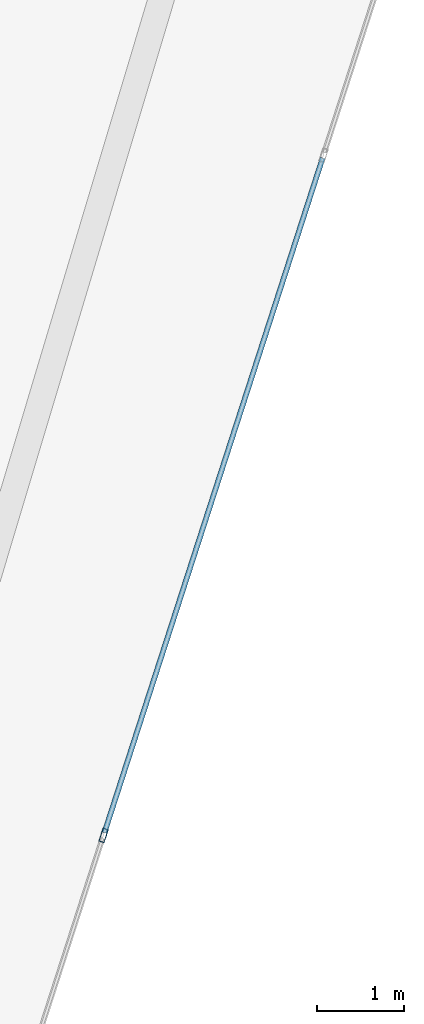
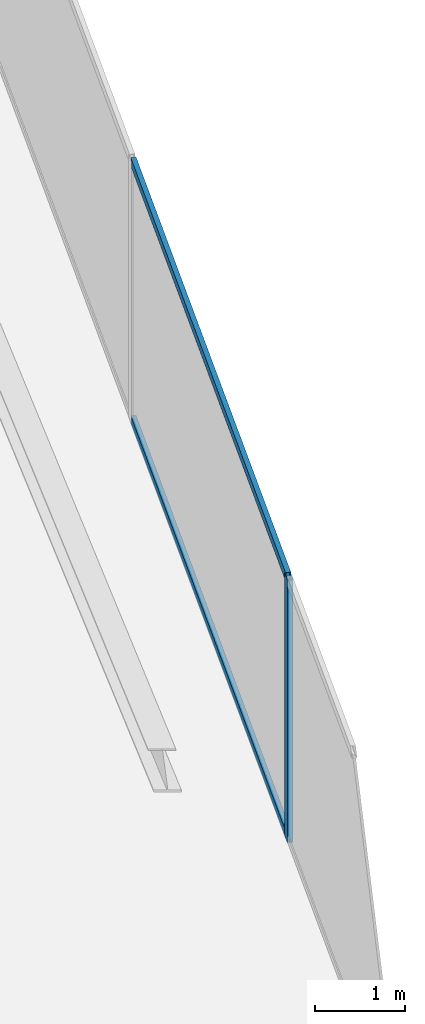
# One storey, part 9 of 14: 3 members, 1 element without a shape of its own.
"""IFC4 building model written with IfcOpenShell, lengths in metres."""

from ifc_helpers import new_model, si_unit, direction, frame, origin, origin_2d, place, context, subcontext, project, spatial, hollow_rectangle, extrude, material, layer, layer_set, material_profile, profile_set, type_object, element, aggregate, save


model = new_model("IFC4")

# Units and contexts
model_context = context("Model", 3, precision=1e-05, world=origin(), true_north=direction((0.0, 1.0)))
body_context = subcontext(model_context, "Body", "Model", "MODEL_VIEW")
ifc_project = project(units=[si_unit("LENGTHUNIT", "METRE"), si_unit("AREAUNIT", "SQUARE_METRE"), si_unit("VOLUMEUNIT", "CUBIC_METRE"), si_unit("PLANEANGLEUNIT", "RADIAN"), si_unit("MASSUNIT", "GRAM", prefix="KILO")], contexts=[model_context])

# Site, building, storey
site_placement = place(None, origin())
site = spatial("IfcSite", under=ifc_project, at=site_placement, CompositionType="ELEMENT")
building_placement = place(site_placement, origin())
building = spatial("IfcBuilding", under=site, at=building_placement, Name="Qianvela Tower", CompositionType="ELEMENT")
storey_placement = place(building_placement, frame((0.0, 0.0, 363.800048828125)))
storey = spatial("IfcBuildingStorey", under=building, at=storey_placement, Name="L94", CompositionType="ELEMENT", Elevation=363.800048828125)

# Curtain wall, members
ifc_material_1 = material(Name="Anodised Architectural Aluminium and Low-E Glass", Category="aluminium")
ifc_layer = layer(ifc_material_1, 0.159912109375)
ifc_layer_set = layer_set([ifc_layer], Name="Anodised Architectural Aluminium and Low-E Glass")
curtain_wall_type = type_object("IfcCurtainWallType", Name="CW-CROWN", PredefinedType="USERDEFINED", material=ifc_layer_set)
curtain_wall_placement = place(storey_placement, origin())
curtain_wall = element("IfcCurtainWall", 1, at=curtain_wall_placement, inside=storey, type_object=curtain_wall_type, Name="L94 CW-CROWN Curtain Wall 06", ObjectType="CURTAIN_WALL_SYSTEM", PredefinedType="USERDEFINED")
ifc_material_2 = material(Name="Anodised Architectural Aluminium 6063-T6", Category="aluminium")
ifc_material_profile_1 = material_profile(ifc_material_2, hollow_rectangle(XDim=0.06494140625, YDim=0.159912109375, WallThickness=0.0048828125, at=origin_2d()), Name="ALU-MULL-65x160")
ifc_profile_set_1 = profile_set([ifc_material_profile_1], Name="Anodised Architectural Aluminium 6063-T6")
member_type_1 = type_object("IfcMemberType", Name="CW-CROWN-MULL", PredefinedType="MULLION", material=ifc_profile_set_1)
member_1_placement = place(storey_placement, frame((47.1494140625, 24.421142578125, 0.0), z_axis=(0.0, 0.0, 1.0), x_axis=(-0.951477858016, 0.307717217108, 0.0)))
member_1 = element("IfcMember", 2, at=member_1_placement, type_object=member_type_1, Name="CW-8 mullion 3", PredefinedType="MULLION", context=body_context, shape_type="SweptSolid", body=[
    extrude(hollow_rectangle(XDim=0.06494140625, YDim=0.159912109375, WallThickness=0.0048828125, at=origin_2d()), origin(), (0.0, 0.0, 1.0), 3.550048828125),
])
ifc_material_3 = material(Name="Anodised Architectural Aluminium 6063-T6", Category="aluminium")
ifc_material_profile_2 = material_profile(ifc_material_3, hollow_rectangle(XDim=0.06005859375, YDim=0.114990234375, WallThickness=0.00390625, at=origin_2d()), Name="ALU-TRAN-60x115")
ifc_profile_set_2 = profile_set([ifc_material_profile_2], Name="Anodised Architectural Aluminium 6063-T6")
member_type_2 = type_object("IfcMemberType", Name="CW-CROWN-TRAN", PredefinedType="USERDEFINED", material=ifc_profile_set_2)
member_2_placement = place(storey_placement, frame((47.1591796875, 24.451904296875, 0.030029296875), z_axis=(0.307742552122, 0.951469664053, 0.0), x_axis=(-0.951469664053, 0.307742552122, 0.0)))
member_2 = element("IfcMember", 3, at=member_2_placement, type_object=member_type_2, Name="CW-8 transom 3.1", ObjectType="TRANSOM", PredefinedType="USERDEFINED", context=body_context, shape_type="SweptSolid", body=[
    extrude(hollow_rectangle(XDim=0.06005859375, YDim=0.114990234375, WallThickness=0.00390625, at=origin_2d()), origin(), (0.0, 0.0, 1.0), 8.195068359375),
])
member_3_placement = place(storey_placement, frame((47.1591796875, 24.451904296875, 3.52001953125), z_axis=(0.307742552122, 0.951469664053, 0.0), x_axis=(-0.951469664053, 0.307742552122, 0.0)))
member_3 = element("IfcMember", 4, at=member_3_placement, type_object=member_type_2, Name="CW-8 transom 3.2", ObjectType="TRANSOM", PredefinedType="USERDEFINED", context=body_context, shape_type="SweptSolid", body=[
    extrude(hollow_rectangle(XDim=0.06005859375, YDim=0.114990234375, WallThickness=0.00390625, at=origin_2d()), origin(), (0.0, 0.0, 1.0), 8.195068359375),
])
aggregate(curtain_wall, [member_1, member_2, member_3])

save(model, "model.ifc")
